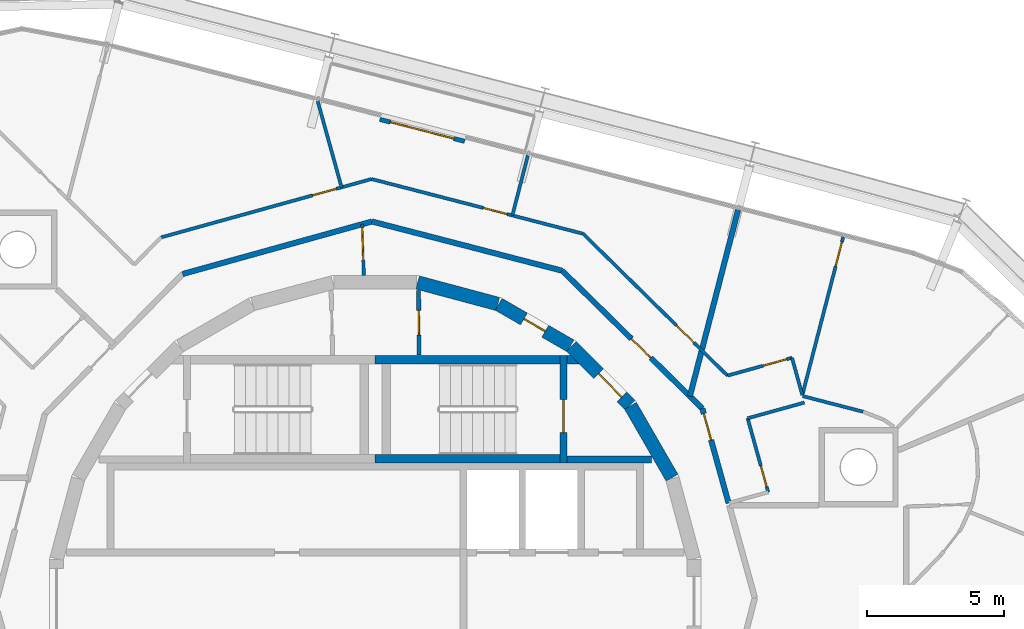
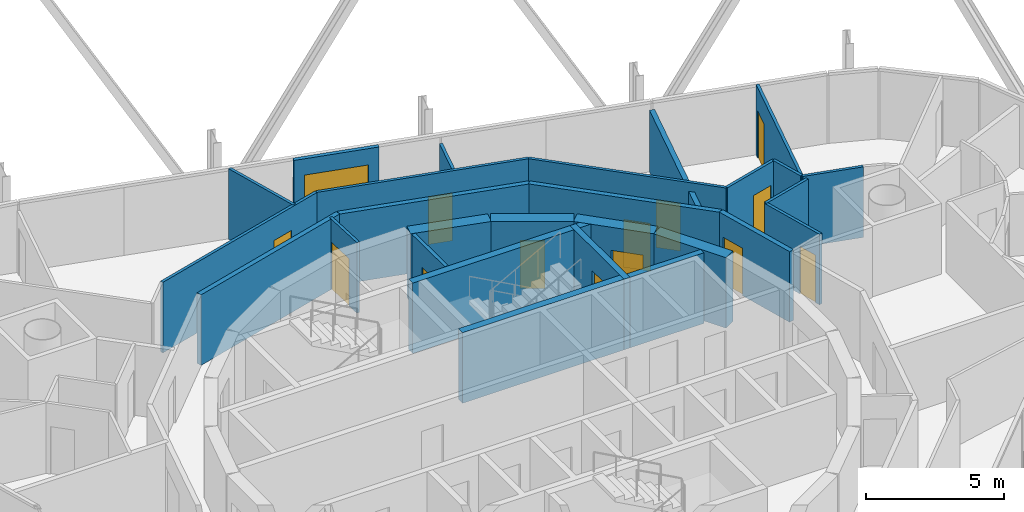
# One storey, part 13 of 15: 28 walls, 14 doors, 14 openings.
"""IFC4 building model written with IfcOpenShell, lengths in metres."""

from ifc_helpers import new_model, si_unit, direction, frame, frame_2d, origin, place, context, subcontext, project, spatial, polyline, rectangle, outline, extrude, material, layer, layer_set, type_object, element, fill, save


model = new_model("IFC4")

# Units and contexts
model_context = context("Model", 3, precision=1e-05, world=origin(), true_north=direction((0.0, 1.0)))
body_context = subcontext(model_context, "Body", "Model", "MODEL_VIEW")
ifc_project = project(units=[si_unit("LENGTHUNIT", "METRE"), si_unit("AREAUNIT", "SQUARE_METRE"), si_unit("VOLUMEUNIT", "CUBIC_METRE"), si_unit("PLANEANGLEUNIT", "RADIAN"), si_unit("MASSUNIT", "GRAM", prefix="KILO")], contexts=[model_context])

# Site, building, storey
site_placement = place(None, origin())
site = spatial("IfcSite", under=ifc_project, at=site_placement, CompositionType="ELEMENT")
building_placement = place(site_placement, origin())
building = spatial("IfcBuilding", under=site, at=building_placement, Name="Spindle Arch Residences", CompositionType="ELEMENT")
storey_placement = place(building_placement, frame((0.0, 0.0, 312.199951171875)))
storey = spatial("IfcBuildingStorey", under=building, at=storey_placement, Name="L80", CompositionType="ELEMENT", Elevation=312.199951171875)

# Wall
ifc_material_1 = material(Name="Concrete C50/60", Category="concrete")
ifc_layer_1 = layer(ifc_material_1, 0.5)
ifc_layer_set_1 = layer_set([ifc_layer_1], Name="Core outline wall 500")
wall_type_1 = type_object("IfcWallType", Name="Core outline wall 500", PredefinedType="SHEAR", material=ifc_layer_set_1)
wall_1_placement = place(storey_placement, frame((10.84521484375, 4.510498046875, 0.0), z_axis=(0.0, 0.0, 1.0), x_axis=(-0.500087131594, 0.865975092491, 0.0)))
element("IfcWall", 1, at=wall_1_placement, inside=storey, type_object=wall_type_1, Name="Core outline wall 8", PredefinedType="SHEAR", context=body_context, shape_type="SweptSolid", body=[
    extrude(rectangle(XDim=3.03271484375, YDim=0.5, at=frame_2d((1.516357421875, 0.0))), origin(), (0.0, 0.0, 1.0), 3.1201171875),
])

# Wall, opening, door
wall_2_placement = place(storey_placement, frame((9.30810546875, 7.163818359375, 0.0), z_axis=(0.0, 0.0, 1.0), x_axis=(-0.707106781187, 0.707106781187, 0.0)))
wall_2 = element("IfcWall", 2, at=wall_2_placement, inside=storey, type_object=wall_type_1, Name="Core outline wall 9", PredefinedType="SHEAR", context=body_context, shape_type="SweptSolid", body=[
    extrude(rectangle(XDim=3.032470703125, YDim=0.5, at=frame_2d((1.51611328125, 0.0))), origin(), (0.0, 0.0, 1.0), 3.1201171875),
])
opening_1_placement = place(wall_2_placement, frame((0.416259765625, 0.0, 0.0)))
opening_1 = element("IfcOpeningElement", 3, at=opening_1_placement, cuts=wall_2, Name="Opening R8B0-AD01", PredefinedType="OPENING", context=body_context, shape_type="SweptSolid", body=[
    extrude(rectangle(XDim=1.199951171875, YDim=2.10009765625, at=frame_2d((0.60009765625, 1.050048828125))), frame((0.0, 0.260009765625, 0.0), z_axis=(0.0, -1.0, 0.0), x_axis=(1.0, 0.0, 0.0)), (0.0, 0.0, 1.0), 0.52001953125),
])
ifc_material_2 = material(Name="Steel, fire-resisting door", Category="steel")
door_type_1 = type_object("IfcDoorType", Name="Stair airlock door 1200x2100", OperationType="SINGLE_SWING_LEFT", PredefinedType="DOOR", material=ifc_material_2)
door_1_placement = place(opening_1_placement, origin())
door_1 = element("IfcDoor", 4, at=door_1_placement, inside=storey, type_object=door_type_1, Name="Stair airlock door R8B0-AD01", OperationType="SINGLE_SWING_RIGHT", OverallHeight=2.10009765625, OverallWidth=1.199951171875, PredefinedType="DOOR", context=body_context, shape_type="SweptSolid", body=[
    extrude(rectangle(XDim=1.199951171875, YDim=2.10009765625, at=frame_2d((0.60009765625, 1.050048828125))), frame((0.0, 0.02490234375, 0.0), z_axis=(0.0, -1.0, 0.0), x_axis=(1.0, 0.0, 0.0)), (0.0, 0.0, 1.0), 0.050048828125),
])
fill(opening_1, door_1)

wall_3_placement = place(storey_placement, frame((7.13671875, 9.32861328125, 0.0), z_axis=(0.0, 0.0, 1.0), x_axis=(-0.865975092491, 0.500087131594, 0.0)))
wall_3 = element("IfcWall", 5, at=wall_3_placement, inside=storey, type_object=wall_type_1, Name="Core outline wall 10", PredefinedType="SHEAR", context=body_context, shape_type="SweptSolid", body=[
    extrude(rectangle(XDim=3.03271484375, YDim=0.5, at=frame_2d((1.516357421875, 0.0))), origin(), (0.0, 0.0, 1.0), 3.1201171875),
])
opening_2_placement = place(wall_3_placement, frame((1.06640625, 0.0, 0.0)))
opening_2 = element("IfcOpeningElement", 6, at=opening_2_placement, cuts=wall_3, Name="Opening R8B0-WD10", PredefinedType="OPENING", context=body_context, shape_type="SweptSolid", body=[
    extrude(rectangle(XDim=0.89990234375, YDim=2.10009765625, at=frame_2d((0.449951171875, 1.050048828125))), frame((0.0, 0.260009765625, 0.0), z_axis=(0.0, -1.0, 0.0), x_axis=(1.0, 0.0, 0.0)), (0.0, 0.0, 1.0), 0.52001953125),
])
ifc_material_3 = material(Name="Steel, fire-resisting door", Category="steel")
door_type_2 = type_object("IfcDoorType", Name="Service room door 900x2100", OperationType="SINGLE_SWING_LEFT", PredefinedType="DOOR", material=ifc_material_3)
door_2_placement = place(opening_2_placement, origin())
door_2 = element("IfcDoor", 7, at=door_2_placement, inside=storey, type_object=door_type_2, Name="Service room door R8B0-WD10", OperationType="SINGLE_SWING_RIGHT", OverallHeight=2.10009765625, OverallWidth=0.89990234375, PredefinedType="DOOR", context=body_context, shape_type="SweptSolid", body=[
    extrude(rectangle(XDim=0.89990234375, YDim=2.10009765625, at=frame_2d((0.449951171875, 1.050048828125))), frame((0.0, 0.02490234375, 0.0), z_axis=(0.0, -1.0, 0.0), x_axis=(1.0, 0.0, 0.0)), (0.0, 0.0, 1.0), 0.050048828125),
])
fill(opening_2, door_2)

# Wall
wall_4_placement = place(storey_placement, frame((4.479248046875, 10.858154296875, 0.0), z_axis=(0.0, 0.0, 1.0), x_axis=(-0.965948410781, 0.258734743916, 0.0)))
element("IfcWall", 8, at=wall_4_placement, inside=storey, type_object=wall_type_1, Name="Core outline wall 11", PredefinedType="SHEAR", context=body_context, shape_type="SweptSolid", body=[
    extrude(rectangle(XDim=3.03271484375, YDim=0.5, at=frame_2d((1.516357421875, 0.0))), origin(), (0.0, 0.0, 1.0), 3.1201171875),
])

# Wall, opening, door
ifc_material_4 = material(Name="Plasterboard on steel studs", Category="steel")
ifc_layer_2 = layer(ifc_material_4, 0.1201171875)
ifc_layer_set_2 = layer_set([ifc_layer_2], Name="Corridor division wall 120")
wall_type_2 = type_object("IfcWallType", Name="Corridor division wall 120", PredefinedType="PARTITIONING", material=ifc_layer_set_2)
wall_5_placement = place(storey_placement, frame((-0.48095703125, 13.7724609375, 0.0), z_axis=(0.0, 0.0, 1.0), x_axis=(0.034870071203, -0.999391854146, 0.0)))
wall_5 = element("IfcWall", 9, at=wall_5_placement, inside=storey, type_object=wall_type_2, Name="Corridor division wall R8B0-W001", PredefinedType="PARTITIONING", context=body_context, shape_type="SweptSolid", body=[
    extrude(rectangle(XDim=1.87646484375, YDim=0.1201171875, at=frame_2d((0.938232421875, 0.0))), origin(), (0.0, 0.0, 1.0), 3.1201171875),
])
opening_3_placement = place(wall_5_placement, frame((0.125, 0.0, 0.0)))
opening_3 = element("IfcOpeningElement", 10, at=opening_3_placement, cuts=wall_5, Name="Opening R8B0-CD01", PredefinedType="OPENING", context=body_context, shape_type="SweptSolid", body=[
    extrude(rectangle(XDim=1.199951171875, YDim=2.10009765625, at=frame_2d((0.60009765625, 1.050048828125))), frame((0.0, 0.070068359375, 0.0), z_axis=(0.0, -1.0, 0.0), x_axis=(1.0, 0.0, 0.0)), (0.0, 0.0, 1.0), 0.14013671875),
])
ifc_material_5 = material(Name="Steel, fire-resisting door", Category="steel")
door_type_3 = type_object("IfcDoorType", Name="Corridor division door 1200x2100", OperationType="NOTDEFINED", PredefinedType="DOOR", material=ifc_material_5)
door_3_placement = place(opening_3_placement, origin())
door_3 = element("IfcDoor", 11, at=door_3_placement, inside=storey, type_object=door_type_3, Name="Corridor division door R8B0-CD01", OperationType="DOUBLE_DOOR_SINGLE_SWING", OverallHeight=2.10009765625, OverallWidth=1.199951171875, PredefinedType="DOOR", context=body_context, shape_type="SweptSolid", body=[
    extrude(rectangle(XDim=1.199951171875, YDim=2.10009765625, at=frame_2d((0.60009765625, 1.050048828125))), frame((0.0, 0.02490234375, 0.0), z_axis=(0.0, -1.0, 0.0), x_axis=(1.0, 0.0, 0.0)), (0.0, 0.0, 1.0), 0.050048828125),
])
fill(opening_3, door_3)

ifc_material_6 = material(Name="Calcium silicate block, plastered")
ifc_layer_3 = layer(ifc_material_6, 0.199951171875)
ifc_layer_set_3 = layer_set([ifc_layer_3], Name="Corridor wall 200")
wall_type_3 = type_object("IfcWallType", Name="Corridor wall 200", PredefinedType="STANDARD", material=ifc_layer_set_3)
wall_6_placement = place(storey_placement, frame((12.91259765625, 3.5810546875, 0.0), z_axis=(0.0, 0.0, 1.0), x_axis=(-0.267223005422, 0.963634715737, 0.0)))
wall_6 = element("IfcWall", 12, at=wall_6_placement, inside=storey, type_object=wall_type_3, Name="Corridor wall R8B0-W006", PredefinedType="STANDARD", context=body_context, shape_type="SweptSolid", body=[
    extrude(rectangle(XDim=3.590576171875, YDim=0.199951171875, at=frame_2d((1.79541015625, 0.0))), origin(), (0.0, 0.0, 1.0), 3.1201171875),
])
opening_4_placement = place(wall_6_placement, frame((2.390380859375, 0.0, 0.0)))
opening_4 = element("IfcOpeningElement", 13, at=opening_4_placement, cuts=wall_6, Name="Opening R8B0-FD01", PredefinedType="OPENING", context=body_context, shape_type="SweptSolid", body=[
    extrude(rectangle(XDim=1.0, YDim=2.10009765625, at=frame_2d((0.5, 1.050048828125))), frame((0.0, 0.10986328125, 0.0), z_axis=(0.0, -1.0, 0.0), x_axis=(1.0, 0.0, 0.0)), (0.0, 0.0, 1.0), 0.219970703125),
])
ifc_material_7 = material(Name="Timber, fire-resisting door set", Category="wood")
door_type_4 = type_object("IfcDoorType", Name="Flat entrance door 1000x2100", OperationType="NOTDEFINED", PredefinedType="DOOR", material=ifc_material_7)
door_4_placement = place(opening_4_placement, origin())
door_4 = element("IfcDoor", 14, at=door_4_placement, inside=storey, type_object=door_type_4, Name="Flat entrance door R8B0-FD01", OperationType="SINGLE_SWING_LEFT", OverallHeight=2.10009765625, OverallWidth=1.0, PredefinedType="DOOR", context=body_context, shape_type="SweptSolid", body=[
    extrude(rectangle(XDim=1.0, YDim=2.10009765625, at=frame_2d((0.5, 1.050048828125))), frame((0.0, 0.02490234375, 0.0), z_axis=(0.0, -1.0, 0.0), x_axis=(1.0, 0.0, 0.0)), (0.0, 0.0, 1.0), 0.050048828125),
])
fill(opening_4, door_4)

wall_7_placement = place(storey_placement, frame((11.953125, 7.041015625, 0.0), z_axis=(0.0, 0.0, 1.0), x_axis=(-0.713250549143, 0.70090916255, 0.0)))
wall_7 = element("IfcWall", 15, at=wall_7_placement, inside=storey, type_object=wall_type_3, Name="Corridor wall R8B0-W007", PredefinedType="STANDARD", context=body_context, shape_type="SweptSolid", body=[
    extrude(rectangle(XDim=7.180908203125, YDim=0.199951171875, at=frame_2d((3.59033203125, 0.0))), origin(), (0.0, 0.0, 1.0), 3.1201171875),
])
opening_5_placement = place(wall_7_placement, frame((2.63720703125, 0.0, 0.0)))
opening_5 = element("IfcOpeningElement", 16, at=opening_5_placement, cuts=wall_7, Name="Opening R8B0-FD02", PredefinedType="OPENING", context=body_context, shape_type="SweptSolid", body=[
    extrude(rectangle(XDim=1.0, YDim=2.10009765625, at=frame_2d((0.5, 1.050048828125))), frame((0.0, 0.10986328125, 0.0), z_axis=(0.0, -1.0, 0.0), x_axis=(1.0, 0.0, 0.0)), (0.0, 0.0, 1.0), 0.219970703125),
])
door_5_placement = place(opening_5_placement, origin())
door_5 = element("IfcDoor", 17, at=door_5_placement, inside=storey, type_object=door_type_4, Name="Flat entrance door R8B0-FD02", OperationType="SINGLE_SWING_LEFT", OverallHeight=2.10009765625, OverallWidth=1.0, PredefinedType="DOOR", context=body_context, shape_type="SweptSolid", body=[
    extrude(rectangle(XDim=1.0, YDim=2.10009765625, at=frame_2d((0.5, 1.050048828125))), frame((0.0, 0.02490234375, 0.0), z_axis=(0.0, -1.0, 0.0), x_axis=(1.0, 0.0, 0.0)), (0.0, 0.0, 1.0), 0.050048828125),
])
fill(opening_5, door_5)

# Walls
for number, where, z_axis, x_axis, name in (
    (18, (6.831298828125, 12.07421875, 0.0), (0.0, 0.0, 1.0), (-0.968144780225, 0.250391063186, 0.0), "Corridor wall R8B0-W008"),
    (19, (-0.12109375, 13.872314453125, 0.0), (0.0, 0.0, 1.0), (-0.963625960674, -0.267254575108, 0.0), "Corridor wall R8B0-W009"),
):
    element("IfcWall", number, at=place(storey_placement, frame(where, z_axis=z_axis, x_axis=x_axis)), inside=storey, type_object=wall_type_3, Name=name, PredefinedType="STANDARD", context=body_context, shape_type="SweptSolid", body=[
        extrude(rectangle(XDim=7.18115234375, YDim=0.199951171875, at=frame_2d((3.590576171875, 0.0))), origin(), (0.0, 0.0, 1.0), 3.1201171875),
    ])

# Wall, opening, door
ifc_material_8 = material(Name="Plasterboard on steel studs", Category="steel")
ifc_layer_4 = layer(ifc_material_8, 0.1201171875)
ifc_layer_set_4 = layer_set([ifc_layer_4], Name="Flat partition 120")
wall_type_4 = type_object("IfcWallType", Name="Flat partition 120", PredefinedType="PARTITIONING", material=ifc_layer_set_4)
wall_8_placement = place(storey_placement, frame((14.358154296875, 3.98193359375, 0.0), z_axis=(0.0, 0.0, 1.0), x_axis=(-0.267275166053, 0.963620249689, 0.0)))
wall_8 = element("IfcWall", 20, at=wall_8_placement, inside=storey, type_object=wall_type_4, Name="Flat partition R8B0-W031", PredefinedType="PARTITIONING", context=body_context, shape_type="SweptSolid", body=[
    extrude(rectangle(XDim=2.800537109375, YDim=0.1201171875, at=frame_2d((1.400390625, 0.0))), origin(), (0.0, 0.0, 1.0), 3.1201171875),
])
opening_6_placement = place(wall_8_placement, frame((0.199951171875, 0.0, 0.0)))
opening_6 = element("IfcOpeningElement", 21, at=opening_6_placement, cuts=wall_8, Name="Opening R8B0-BD01", PredefinedType="OPENING", context=body_context, shape_type="SweptSolid", body=[
    extrude(rectangle(XDim=0.800048828125, YDim=2.10009765625, at=frame_2d((0.39990234375, 1.050048828125))), frame((0.0, 0.070068359375, 0.0), z_axis=(0.0, -1.0, 0.0), x_axis=(1.0, 0.0, 0.0)), (0.0, 0.0, 1.0), 0.14013671875),
])
ifc_material_9 = material(Name="Timber door set", Category="wood")
door_type_5 = type_object("IfcDoorType", Name="Bathroom door 800x2100", OperationType="NOTDEFINED", PredefinedType="DOOR", material=ifc_material_9)
door_6_placement = place(opening_6_placement, origin())
door_6 = element("IfcDoor", 22, at=door_6_placement, inside=storey, type_object=door_type_5, Name="Bathroom door R8B0-BD01", OperationType="SINGLE_SWING_LEFT", OverallHeight=2.10009765625, OverallWidth=0.800048828125, PredefinedType="DOOR", context=body_context, shape_type="SweptSolid", body=[
    extrude(rectangle(XDim=0.800048828125, YDim=2.10009765625, at=frame_2d((0.39990234375, 1.050048828125))), frame((0.0, 0.02490234375, 0.0), z_axis=(0.0, -1.0, 0.0), x_axis=(1.0, 0.0, 0.0)), (0.0, 0.0, 1.0), 0.050048828125),
])
fill(opening_6, door_6)

# Walls
wall_9_placement = place(storey_placement, frame((13.609619140625, 6.6806640625, 0.0), z_axis=(0.0, 0.0, 1.0), x_axis=(0.963626714087, 0.267251858551, 0.0)))
element("IfcWall", 23, at=wall_9_placement, inside=storey, type_object=wall_type_4, Name="Flat partition R8B0-W032", PredefinedType="PARTITIONING", context=body_context, shape_type="SweptSolid", body=[
    extrude(rectangle(XDim=2.15234375, YDim=0.1201171875, at=frame_2d((1.076171875, 0.0))), origin(), (0.0, 0.0, 1.0), 3.1201171875),
])
wall_10_placement = place(storey_placement, frame((15.607666015625, 7.530029296875, 0.0), z_axis=(0.0, 0.0, 1.0), x_axis=(-0.267172351994, 0.963648760872, 0.0)))
element("IfcWall", 24, at=wall_10_placement, inside=storey, type_object=wall_type_4, Name="Flat partition R8B0-W033", PredefinedType="PARTITIONING", context=body_context, shape_type="SweptSolid", body=[
    extrude(rectangle(XDim=1.41552734375, YDim=0.1201171875, at=frame_2d((0.707763671875, 0.0))), origin(), (0.0, 0.0, 1.0), 3.1201171875),
])

# Wall, opening, door
wall_11_placement = place(storey_placement, frame((15.2294921875, 8.89404296875, 0.0), z_axis=(0.0, 0.0, 1.0), x_axis=(-0.96363793677, -0.267211389759, 0.0)))
wall_11 = element("IfcWall", 25, at=wall_11_placement, inside=storey, type_object=wall_type_4, Name="Flat partition R8B0-W034", PredefinedType="PARTITIONING", context=body_context, shape_type="SweptSolid", body=[
    extrude(rectangle(XDim=2.44580078125, YDim=0.1201171875, at=frame_2d((1.222900390625, 0.0))), origin(), (0.0, 0.0, 1.0), 3.1201171875),
])
opening_7_placement = place(wall_11_placement, frame((0.199951171875, 0.0, 0.0)))
opening_7 = element("IfcOpeningElement", 26, at=opening_7_placement, cuts=wall_11, Name="Opening R8B0-ID01", PredefinedType="OPENING", context=body_context, shape_type="SweptSolid", body=[
    extrude(rectangle(XDim=0.89990234375, YDim=2.10009765625, at=frame_2d((0.449951171875, 1.050048828125))), frame((0.0, 0.070068359375, 0.0), z_axis=(0.0, -1.0, 0.0), x_axis=(1.0, 0.0, 0.0)), (0.0, 0.0, 1.0), 0.14013671875),
])
ifc_material_10 = material(Name="Timber door set", Category="wood")
door_type_6 = type_object("IfcDoorType", Name="Room door 900x2100", OperationType="NOTDEFINED", PredefinedType="DOOR", material=ifc_material_10)
door_7_placement = place(opening_7_placement, origin())
door_7 = element("IfcDoor", 27, at=door_7_placement, inside=storey, type_object=door_type_6, Name="Room door R8B0-ID01", OperationType="SINGLE_SWING_LEFT", OverallHeight=2.10009765625, OverallWidth=0.89990234375, PredefinedType="DOOR", context=body_context, shape_type="SweptSolid", body=[
    extrude(rectangle(XDim=0.89990234375, YDim=2.10009765625, at=frame_2d((0.449951171875, 1.050048828125))), frame((0.0, 0.02490234375, 0.0), z_axis=(0.0, -1.0, 0.0), x_axis=(1.0, 0.0, 0.0)), (0.0, 0.0, 1.0), 0.050048828125),
])
fill(opening_7, door_7)

wall_12_placement = place(storey_placement, frame((12.87255859375, 8.240478515625, 0.0), z_axis=(0.0, 0.0, 1.0), x_axis=(-0.713251042219, 0.700908660792, 0.0)))
wall_12 = element("IfcWall", 28, at=wall_12_placement, inside=storey, type_object=wall_type_4, Name="Flat partition R8B0-W035", PredefinedType="PARTITIONING", context=body_context, shape_type="SweptSolid", body=[
    extrude(rectangle(XDim=7.39794921875, YDim=0.1201171875, at=frame_2d((3.698974609375, 0.0))), origin(), (0.0, 0.0, 1.0), 3.1201171875),
])
opening_8_placement = place(wall_12_placement, frame((1.71826171875, 0.0, 0.0)))
opening_8 = element("IfcOpeningElement", 29, at=opening_8_placement, cuts=wall_12, Name="Opening R8B0-ID04", PredefinedType="OPENING", context=body_context, shape_type="SweptSolid", body=[
    extrude(rectangle(XDim=0.89990234375, YDim=2.10009765625, at=frame_2d((0.449951171875, 1.050048828125))), frame((0.0, 0.070068359375, 0.0), z_axis=(0.0, -1.0, 0.0), x_axis=(1.0, 0.0, 0.0)), (0.0, 0.0, 1.0), 0.14013671875),
])
door_8_placement = place(opening_8_placement, origin())
door_8 = element("IfcDoor", 30, at=door_8_placement, inside=storey, type_object=door_type_6, Name="Room door R8B0-ID04", OperationType="SINGLE_SWING_LEFT", OverallHeight=2.10009765625, OverallWidth=0.89990234375, PredefinedType="DOOR", context=body_context, shape_type="SweptSolid", body=[
    extrude(rectangle(XDim=0.89990234375, YDim=2.10009765625, at=frame_2d((0.449951171875, 1.050048828125))), frame((0.0, 0.02490234375, 0.0), z_axis=(0.0, -1.0, 0.0), x_axis=(1.0, 0.0, 0.0)), (0.0, 0.0, 1.0), 0.050048828125),
])
fill(opening_8, door_8)

# Wall
wall_13_placement = place(storey_placement, frame((17.8251953125, 6.922119140625, 0.0), z_axis=(0.0, 0.0, 1.0), x_axis=(-0.968151834511, 0.250363785985, 0.0)))
element("IfcWall", 31, at=wall_13_placement, inside=storey, type_object=wall_type_4, Name="Flat partition R8B0-W039", PredefinedType="PARTITIONING", context=body_context, shape_type="SweptSolid", body=[
    extrude(rectangle(XDim=2.27978515625, YDim=0.1201171875, at=frame_2d((1.139892578125, 0.0))), origin(), (0.0, 0.0, 1.0), 3.1201171875),
])

# Wall, opening, door
wall_14_placement = place(storey_placement, frame((17.1015625, 13.306640625, 0.0), z_axis=(0.0, 0.0, 1.0), x_axis=(-0.250374225748, -0.968149134731, 0.0)))
wall_14 = element("IfcWall", 32, at=wall_14_placement, inside=storey, type_object=wall_type_4, Name="Flat partition R8B0-W040", PredefinedType="PARTITIONING", context=body_context, shape_type="SweptSolid", body=[
    extrude(rectangle(XDim=5.966552734375, YDim=0.1201171875, at=frame_2d((2.9833984375, 0.0))), origin(), (0.0, 0.0, 1.0), 3.1201171875),
])
opening_9_placement = place(wall_14_placement, frame((0.199951171875, 0.0, 0.0)))
opening_9 = element("IfcOpeningElement", 33, at=opening_9_placement, cuts=wall_14, Name="Opening R8B0-ID02", PredefinedType="OPENING", context=body_context, shape_type="SweptSolid", body=[
    extrude(rectangle(XDim=0.89990234375, YDim=2.10009765625, at=frame_2d((0.449951171875, 1.050048828125))), frame((0.0, 0.070068359375, 0.0), z_axis=(0.0, -1.0, 0.0), x_axis=(1.0, 0.0, 0.0)), (0.0, 0.0, 1.0), 0.14013671875),
])
door_9_placement = place(opening_9_placement, origin())
door_9 = element("IfcDoor", 34, at=door_9_placement, inside=storey, type_object=door_type_6, Name="Room door R8B0-ID02", OperationType="SINGLE_SWING_LEFT", OverallHeight=2.10009765625, OverallWidth=0.89990234375, PredefinedType="DOOR", context=body_context, shape_type="SweptSolid", body=[
    extrude(rectangle(XDim=0.89990234375, YDim=2.10009765625, at=frame_2d((0.449951171875, 1.050048828125))), frame((0.0, 0.02490234375, 0.0), z_axis=(0.0, -1.0, 0.0), x_axis=(1.0, 0.0, 0.0)), (0.0, 0.0, 1.0), 0.050048828125),
])
fill(opening_9, door_9)

wall_15_placement = place(storey_placement, frame((7.595947265625, 13.42578125, 0.0), z_axis=(0.0, 0.0, 1.0), x_axis=(-0.968146656033, 0.250383810203, 0.0)))
wall_15 = element("IfcWall", 35, at=wall_15_placement, inside=storey, type_object=wall_type_4, Name="Flat partition R8B0-W041", PredefinedType="PARTITIONING", context=body_context, shape_type="SweptSolid", body=[
    extrude(rectangle(XDim=7.98486328125, YDim=0.1201171875, at=frame_2d((3.992431640625, 0.0))), origin(), (0.0, 0.0, 1.0), 3.1201171875),
])
opening_10_placement = place(wall_15_placement, frame((2.869873046875, 0.0, 0.0)))
opening_10 = element("IfcOpeningElement", 36, at=opening_10_placement, cuts=wall_15, Name="Opening R8B0-ID05", PredefinedType="OPENING", context=body_context, shape_type="SweptSolid", body=[
    extrude(rectangle(XDim=0.89990234375, YDim=2.10009765625, at=frame_2d((0.449951171875, 1.050048828125))), frame((0.0, 0.070068359375, 0.0), z_axis=(0.0, -1.0, 0.0), x_axis=(1.0, 0.0, 0.0)), (0.0, 0.0, 1.0), 0.14013671875),
])
door_10_placement = place(opening_10_placement, origin())
door_10 = element("IfcDoor", 37, at=door_10_placement, inside=storey, type_object=door_type_6, Name="Room door R8B0-ID05", OperationType="SINGLE_SWING_LEFT", OverallHeight=2.10009765625, OverallWidth=0.89990234375, PredefinedType="DOOR", context=body_context, shape_type="SweptSolid", body=[
    extrude(rectangle(XDim=0.89990234375, YDim=2.10009765625, at=frame_2d((0.449951171875, 1.050048828125))), frame((0.0, 0.02490234375, 0.0), z_axis=(0.0, -1.0, 0.0), x_axis=(1.0, 0.0, 0.0)), (0.0, 0.0, 1.0), 0.050048828125),
])
fill(opening_10, door_10)

wall_16_placement = place(storey_placement, frame((-0.134521484375, 15.425048828125, 0.0), z_axis=(0.0, 0.0, 1.0), x_axis=(-0.963633899075, -0.267225950373, 0.0)))
wall_16 = element("IfcWall", 38, at=wall_16_placement, inside=storey, type_object=wall_type_4, Name="Flat partition R8B0-W042", PredefinedType="PARTITIONING", context=body_context, shape_type="SweptSolid", body=[
    extrude(rectangle(XDim=7.98486328125, YDim=0.1201171875, at=frame_2d((3.992431640625, 0.0))), origin(), (0.0, 0.0, 1.0), 3.1201171875),
])
opening_11_placement = place(wall_16_placement, frame((1.3369140625, 0.0, 0.0)))
opening_11 = element("IfcOpeningElement", 39, at=opening_11_placement, cuts=wall_16, Name="Opening R8B0-ID06", PredefinedType="OPENING", context=body_context, shape_type="SweptSolid", body=[
    extrude(rectangle(XDim=0.89990234375, YDim=2.10009765625, at=frame_2d((0.449951171875, 1.050048828125))), frame((0.0, 0.070068359375, 0.0), z_axis=(0.0, -1.0, 0.0), x_axis=(1.0, 0.0, 0.0)), (0.0, 0.0, 1.0), 0.14013671875),
])
door_11_placement = place(opening_11_placement, origin())
door_11 = element("IfcDoor", 40, at=door_11_placement, inside=storey, type_object=door_type_6, Name="Room door R8B0-ID06", OperationType="SINGLE_SWING_RIGHT", OverallHeight=2.10009765625, OverallWidth=0.89990234375, PredefinedType="DOOR", context=body_context, shape_type="SweptSolid", body=[
    extrude(rectangle(XDim=0.89990234375, YDim=2.10009765625, at=frame_2d((0.449951171875, 1.050048828125))), frame((0.0, 0.02490234375, 0.0), z_axis=(0.0, -1.0, 0.0), x_axis=(1.0, 0.0, 0.0)), (0.0, 0.0, 1.0), 0.050048828125),
])
fill(opening_11, door_11)

# Walls
wall_17_placement = place(storey_placement, frame((-2.104248046875, 18.2734375, 0.0), z_axis=(0.0, 0.0, 1.0), x_axis=(0.267251230405, -0.963626888296, 0.0)))
element("IfcWall", 41, at=wall_17_placement, inside=storey, type_object=wall_type_4, Name="Flat partition R8B0-W048", PredefinedType="PARTITIONING", context=body_context, shape_type="SweptSolid", body=[
    extrude(rectangle(XDim=3.271240234375, YDim=0.1201171875, at=frame_2d((1.6357421875, 0.0))), origin(), (0.0, 0.0, 1.0), 3.1201171875),
])
ifc_material_11 = material(Name="Plasterboard on steel studs", Category="steel")
ifc_layer_5 = layer(ifc_material_11, 0.1201171875)
ifc_layer_set_5 = layer_set([ifc_layer_5], Name="Flat partition 120 under beam 2730")
wall_type_5 = type_object("IfcWallType", Name="Flat partition 120 under beam 2730", PredefinedType="PARTITIONING", material=ifc_layer_set_5)
wall_18_placement = place(storey_placement, frame((5.578125, 16.286865234375, 0.0), z_axis=(0.0, 0.0, 1.0), x_axis=(-0.250415921279, -0.968138350841, 0.0)))
element("IfcWall", 42, at=wall_18_placement, inside=storey, type_object=wall_type_5, Name="Flat partition R8B0-W047", PredefinedType="PARTITIONING", context=body_context, shape_type="SweptSolid", body=[
    extrude(rectangle(XDim=2.264892578125, YDim=0.1201171875, at=frame_2d((1.13232421875, 0.0))), origin(), (0.0, 0.0, 1.0), 2.72998046875),
])
ifc_material_12 = material(Name="Calcium silicate block, plastered")
ifc_layer_6 = layer(ifc_material_12, 0.199951171875)
ifc_layer_set_6 = layer_set([ifc_layer_6], Name="Flat party wall 200 under beam 2730")
wall_type_6 = type_object("IfcWallType", Name="Flat party wall 200 under beam 2730", PredefinedType="STANDARD", material=ifc_layer_set_6)
wall_19_placement = place(storey_placement, frame((13.260498046875, 14.300048828125, 0.0), z_axis=(0.0, 0.0, 1.0), x_axis=(-0.250397400042, -0.968143141303, 0.0)))
element("IfcWall", 43, at=wall_19_placement, inside=storey, type_object=wall_type_6, Name="Flat party wall R8B0-W022", PredefinedType="STANDARD", context=body_context, shape_type="SweptSolid", body=[
    extrude(rectangle(XDim=7.03662109375, YDim=0.199951171875, at=frame_2d((3.518310546875, 0.0))), origin(), (0.0, 0.0, 1.0), 2.72998046875),
])

# Wall, opening, door
ifc_material_13 = material(Name="Non-combustible mineral wool insulated aluminium faced external wall (K0)", Category="aluminium")
ifc_layer_7 = layer(ifc_material_13, 0.159912109375)
ifc_layer_set_7 = layer_set([ifc_layer_7], Name="Insulated external wall panel 160")
wall_type_7 = type_object("IfcWallType", Name="Insulated external wall panel 160", PredefinedType="STANDARD", material=ifc_layer_set_7)
wall_20_placement = place(storey_placement, frame((3.265869140625, 16.802001953125, 0.0), z_axis=(0.0, 0.0, 1.0), x_axis=(-0.968144998439, 0.250390219454, 0.0)))
wall_20 = element("IfcWall", 44, at=wall_20_placement, inside=storey, type_object=wall_type_7, Name="External wall L80 bay 7", PredefinedType="STANDARD", context=body_context, shape_type="SweptSolid", body=[
    extrude(rectangle(XDim=3.2001953125, YDim=0.159912109375, at=frame_2d((1.60009765625, 0.0))), origin(), (0.0, 0.0, 1.0), 3.1201171875),
])
opening_12_placement = place(wall_20_placement, frame((0.39990234375, 0.0, 0.0)))
opening_12 = element("IfcOpeningElement", 45, at=opening_12_placement, cuts=wall_20, Name="Opening BD07", PredefinedType="OPENING", context=body_context, shape_type="SweptSolid", body=[
    extrude(rectangle(XDim=2.39990234375, YDim=2.39990234375, at=frame_2d((1.199951171875, 1.199951171875))), frame((0.0, 0.08984375, 0.0), z_axis=(0.0, -1.0, 0.0), x_axis=(1.0, 0.0, 0.0)), (0.0, 0.0, 1.0), 0.179931640625),
])
ifc_material_14 = material(Name="Bronze aluminium frame, tinted double glazing", Category="aluminium")
door_type_7 = type_object("IfcDoorType", Name="Sliding glazed balcony door 2400x2400", OperationType="DOUBLE_DOOR_SLIDING", PredefinedType="DOOR", material=ifc_material_14)
door_12_placement = place(opening_12_placement, origin())
door_12 = element("IfcDoor", 46, at=door_12_placement, inside=storey, type_object=door_type_7, Name="Balcony door BD07", OperationType="DOUBLE_DOOR_SLIDING", OverallHeight=2.39990234375, OverallWidth=2.39990234375, PredefinedType="DOOR", context=body_context, shape_type="SweptSolid", body=[
    extrude(rectangle(XDim=2.39990234375, YDim=2.39990234375, at=frame_2d((1.199951171875, 1.199951171875))), frame((0.0, 0.02490234375, 0.0), z_axis=(0.0, -1.0, 0.0), x_axis=(1.0, 0.0, 0.0)), (0.0, 0.0, 1.0), 0.050048828125),
])
fill(opening_12, door_12)

ifc_material_15 = material(Name="Concrete C25/30", Category="concrete")
ifc_layer_8 = layer(ifc_material_15, 0.14990234375)
ifc_layer_set_8 = layer_set([ifc_layer_8], Name="Service room partition 150")
wall_type_8 = type_object("IfcWallType", Name="Service room partition 150", PredefinedType="PARTITIONING", material=ifc_layer_set_8)
wall_21_placement = place(storey_placement, frame((1.585693359375, 11.3544921875, 0.0), z_axis=(0.0, 0.0, 1.0), x_axis=(0.007227482881, -0.999973881405, 0.0)))
wall_21 = element("IfcWall", 47, at=wall_21_placement, inside=storey, type_object=wall_type_8, Name="Core service room partition", PredefinedType="PARTITIONING", context=body_context, shape_type="SweptSolid", body=[
    extrude(rectangle(XDim=2.364501953125, YDim=0.14990234375, at=frame_2d((1.18212890625, 0.0))), origin(), (0.0, 0.0, 1.0), 3.1201171875),
])
opening_13_placement = place(wall_21_placement, frame((0.732177734375, 0.0, 0.0)))
opening_13 = element("IfcOpeningElement", 48, at=opening_13_placement, cuts=wall_21, Name="Opening R8B0-WD06", PredefinedType="OPENING", context=body_context, shape_type="SweptSolid", body=[
    extrude(rectangle(XDim=0.89990234375, YDim=2.10009765625, at=frame_2d((0.449951171875, 1.050048828125))), frame((0.0, 0.0849609375, 0.0), z_axis=(0.0, -1.0, 0.0), x_axis=(1.0, 0.0, 0.0)), (0.0, 0.0, 1.0), 0.169921875),
])
door_13_placement = place(opening_13_placement, origin())
door_13 = element("IfcDoor", 49, at=door_13_placement, inside=storey, type_object=door_type_2, Name="Service room door R8B0-WD06", OperationType="SINGLE_SWING_RIGHT", OverallHeight=2.10009765625, OverallWidth=0.89990234375, PredefinedType="DOOR", context=body_context, shape_type="SweptSolid", body=[
    extrude(rectangle(XDim=0.89990234375, YDim=2.10009765625, at=frame_2d((0.449951171875, 1.050048828125))), frame((0.0, 0.02490234375, 0.0), z_axis=(0.0, -1.0, 0.0), x_axis=(1.0, 0.0, 0.0)), (0.0, 0.0, 1.0), 0.050048828125),
])
fill(opening_13, door_13)

# Walls
ifc_material_16 = material(Name="Concrete C40/50", Category="concrete")
ifc_layer_9 = layer(ifc_material_16, 0.25)
ifc_layer_set_9 = layer_set([ifc_layer_9], Name="Stair airlock wall 250")
wall_type_9 = type_object("IfcWallType", Name="Stair airlock wall 250", PredefinedType="SHEAR", material=ifc_layer_set_9)
wall_22_placement = place(storey_placement, frame((7.0, 5.175048828125, 0.0), z_axis=(0.0, 0.0, 1.0), x_axis=(1.0, 0.0, 0.0)))
element("IfcWall", 50, at=wall_22_placement, inside=storey, type_object=wall_type_9, Name="Stair ST-1 airlock wall S", PredefinedType="SHEAR", context=body_context, shape_type="SweptSolid", body=[
    extrude(rectangle(XDim=3.10009765625, YDim=0.25, at=frame_2d((1.550048828125, 0.0))), origin(), (0.0, 0.0, 1.0), 3.1201171875),
])
ifc_material_17 = material(Name="Concrete C40/50", Category="concrete")
wall_type_10 = type_object("IfcWallType", Name="Stair airlock wall profile", PredefinedType="SHEAR", material=ifc_material_17)
wall_23_placement = place(storey_placement, origin())
element("IfcWall", 51, at=wall_23_placement, inside=storey, type_object=wall_type_10, Name="Stair ST-1 airlock wall N", PredefinedType="SHEAR", context=body_context, shape_type="SweptSolid", body=[
    extrude(outline(polyline([(7.4482421875, 8.669921875), (7.0, 8.669921875), (7.0, 8.969970703125), (7.148193359375, 8.969970703125), (7.4482421875, 8.669921875)])), origin(), (0.0, 0.0, 1.0), 3.1201171875),
])

# Wall, opening, door
ifc_material_18 = material(Name="Concrete C50/60", Category="concrete")
ifc_layer_10 = layer(ifc_material_18, 0.25)
ifc_layer_set_10 = layer_set([ifc_layer_10], Name="Stair enclosure wall 250")
wall_type_11 = type_object("IfcWallType", Name="Stair enclosure wall 250", PredefinedType="SHEAR", material=ifc_layer_set_10)
wall_24_placement = place(storey_placement, frame((6.875, 5.050048828125, 0.0), z_axis=(0.0, 0.0, 1.0), x_axis=(0.0, 1.0, 0.0)))
wall_24 = element("IfcWall", 52, at=wall_24_placement, inside=storey, type_object=wall_type_11, Name="Stair ST-1 door wall", PredefinedType="SHEAR", context=body_context, shape_type="SweptSolid", body=[
    extrude(rectangle(XDim=3.919921875, YDim=0.25, at=frame_2d((1.9599609375, 0.0))), origin(), (0.0, 0.0, 1.0), 3.1201171875),
])
opening_14_placement = place(wall_24_placement, frame((1.110107421875, 0.0, 0.0)))
opening_14 = element("IfcOpeningElement", 53, at=opening_14_placement, cuts=wall_24, Name="Opening R8B0-SD01", PredefinedType="OPENING", context=body_context, shape_type="SweptSolid", body=[
    extrude(rectangle(XDim=1.199951171875, YDim=2.10009765625, at=frame_2d((0.60009765625, 1.050048828125))), frame((0.0, 0.135009765625, 0.0), z_axis=(0.0, -1.0, 0.0), x_axis=(1.0, 0.0, 0.0)), (0.0, 0.0, 1.0), 0.27001953125),
])
ifc_material_19 = material(Name="Steel, fire-resisting door", Category="steel")
door_type_8 = type_object("IfcDoorType", Name="Stair door 1200x2100", OperationType="SINGLE_SWING_RIGHT", PredefinedType="DOOR", material=ifc_material_19)
door_14_placement = place(opening_14_placement, origin())
door_14 = element("IfcDoor", 54, at=door_14_placement, inside=storey, type_object=door_type_8, Name="Stair door R8B0-SD01", OperationType="SINGLE_SWING_LEFT", OverallHeight=2.10009765625, OverallWidth=1.199951171875, PredefinedType="DOOR", context=body_context, shape_type="SweptSolid", body=[
    extrude(rectangle(XDim=1.199951171875, YDim=2.10009765625, at=frame_2d((0.60009765625, 1.050048828125))), frame((0.0, 0.02490234375, 0.0), z_axis=(0.0, -1.0, 0.0), x_axis=(1.0, 0.0, 0.0)), (0.0, 0.0, 1.0), 0.050048828125),
])
fill(opening_14, door_14)

# Walls
ifc_material_20 = material(Name="Concrete C50/60", Category="concrete")
ifc_layer_11 = layer(ifc_material_20, 0.300048828125)
ifc_layer_set_11 = layer_set([ifc_layer_11], Name="Stair enclosure wall 300")
wall_type_12 = type_object("IfcWallType", Name="Stair enclosure wall 300", PredefinedType="SHEAR", material=ifc_layer_set_11)
for number, where, z_axis, x_axis, name in (
    (55, (0.0, 5.199951171875, 0.0), (0.0, 0.0, 1.0), (1.0, 0.0, 0.0), "Stair ST-1 enclosure wall S"),
    (56, (0.0, 8.820068359375, 0.0), (0.0, 0.0, 1.0), (1.0, 0.0, 0.0), "Stair ST-1 enclosure wall N"),
):
    element("IfcWall", number, at=place(storey_placement, frame(where, z_axis=z_axis, x_axis=x_axis)), inside=storey, type_object=wall_type_12, Name=name, PredefinedType="SHEAR", context=body_context, shape_type="SweptSolid", body=[
        extrude(rectangle(XDim=6.75, YDim=0.300048828125, at=frame_2d((3.375, 0.0))), origin(), (0.0, 0.0, 1.0), 3.1201171875),
    ])

save(model, "model.ifc")
